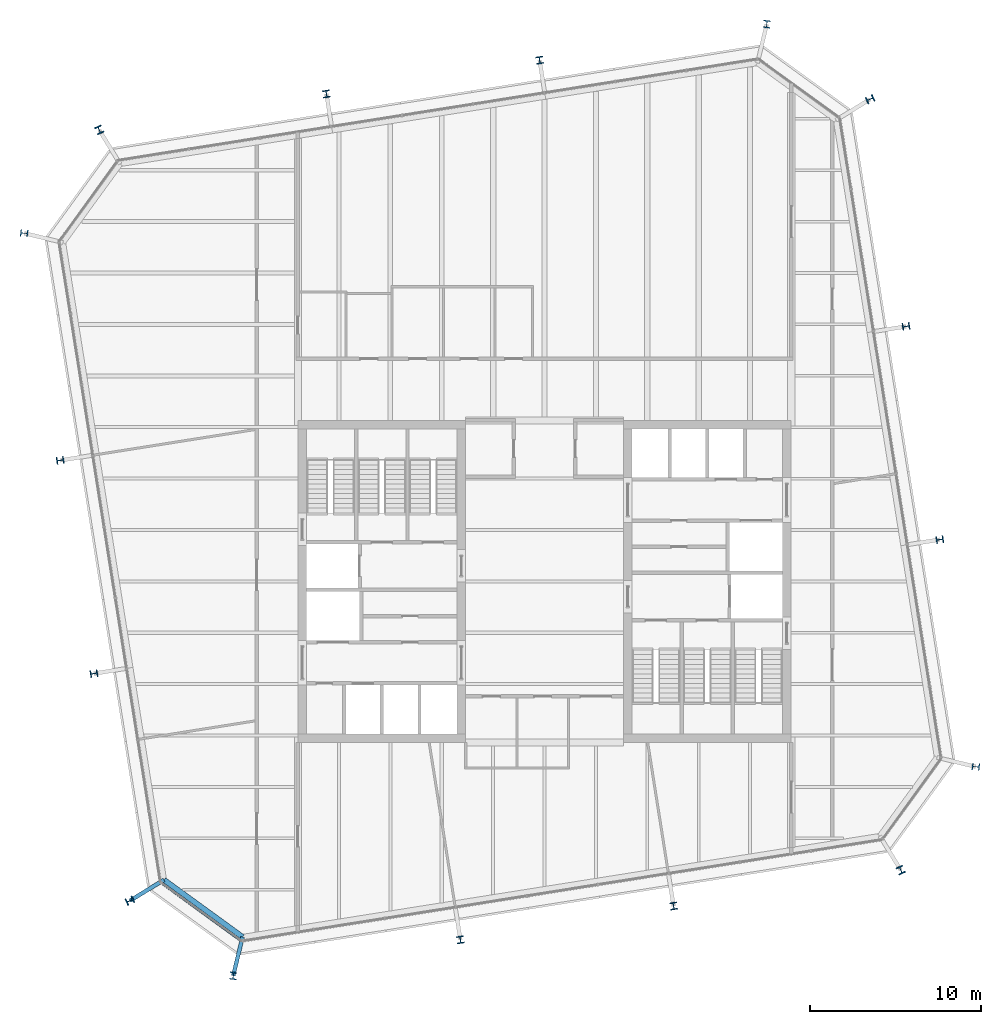
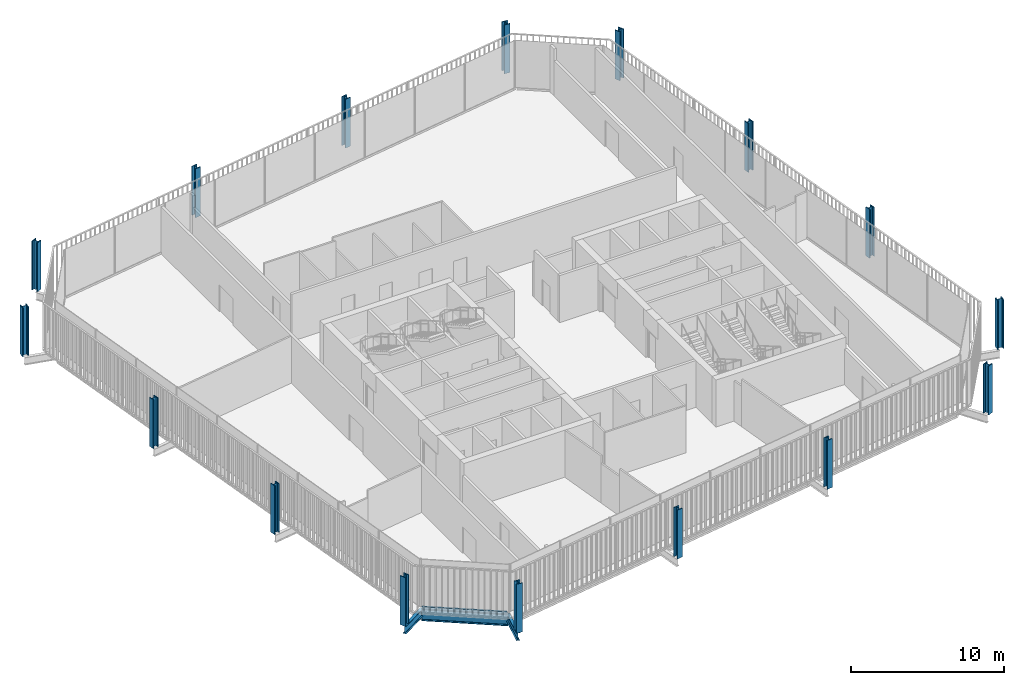
# One storey, part 1 of 20: 16 columns, 3 beams, 1 member, 1 element without a shape of its own.
"""IFC4 building model written with IfcOpenShell, lengths in metres."""

from ifc_helpers import new_model, si_unit, direction, frame, origin, origin_2d, place, context, subcontext, project, spatial, rectangle, i_section, extrude, material, layer, layer_set, material_profile, profile_set, type_object, element, aggregate, save


model = new_model("IFC4")

# Units and contexts
model_context = context("Model", 3, precision=1e-05, world=origin(), true_north=direction((0.0, 1.0)))
body_context = subcontext(model_context, "Body", "Model", "MODEL_VIEW")
ifc_project = project(units=[si_unit("LENGTHUNIT", "METRE"), si_unit("AREAUNIT", "SQUARE_METRE"), si_unit("VOLUMEUNIT", "CUBIC_METRE"), si_unit("PLANEANGLEUNIT", "RADIAN"), si_unit("MASSUNIT", "GRAM", prefix="KILO")], contexts=[model_context])

# Site, building, storey
site_placement = place(None, origin())
site = spatial("IfcSite", under=ifc_project, at=site_placement, CompositionType="ELEMENT")
building_placement = place(site_placement, origin())
building = spatial("IfcBuilding", under=site, at=building_placement, Name="Millrace Tower", CompositionType="ELEMENT")
storey_placement = place(building_placement, frame((0.0, 0.0, 259.10009765625)))
storey = spatial("IfcBuildingStorey", under=building, at=storey_placement, Name="L59", CompositionType="ELEMENT", Elevation=259.10009765625)

# Columns
ifc_material_1 = material(Name="Steel ASTM A913 Grade 65", Category="steel")
ifc_material_profile_1 = material_profile(ifc_material_1, i_section(OverallWidth=0.408935546875, OverallDepth=0.424072265625, WebThickness=0.03271484375, FlangeThickness=0.052490234375, FilletRadius=0.01513671875, at=origin_2d()))
ifc_profile_set_1 = profile_set([ifc_material_profile_1], Name="Steel ASTM A913 Grade 65")
column_type_1 = type_object("IfcColumnType", Name="Exoskeleton column W14x283", PredefinedType="COLUMN", material=ifc_profile_set_1)
for number, where, z_axis, x_axis, name in (
    (1, (-4.91162109375, -20.927734375, 0.0), (0.0, 0.0, 1.0), (0.987688341035, 0.156434462265, 0.0), "COL-D-L59-X03"),
    (2, (7.533203125, -18.956787109375, 0.0), (0.0, 0.0, 1.0), (0.987688341035, 0.156434462265, 0.0), "COL-D-L59-X04"),
    (3, (23.07763671875, 2.4384765625, 0.0), (0.0, 0.0, 1.0), (-0.156434462265, 0.987688341035, 0.0), "COL-D-L59-X07"),
    (4, (21.106689453125, 14.88330078125, 0.0), (0.0, 0.0, 1.0), (-0.156434462265, 0.987688341035, 0.0), "COL-D-L59-X08"),
    (5, (-0.288330078125, 30.427734375, 0.0), (0.0, 0.0, 1.0), (-0.987688341035, -0.156434462265, 0.0), "COL-D-L59-X11"),
    (6, (-12.7333984375, 28.456787109375, 0.0), (0.0, 0.0, 1.0), (-0.987688341035, -0.156434462265, 0.0), "COL-D-L59-X12"),
    (7, (-28.27783203125, 7.0615234375, 0.0), (0.0, 0.0, 1.0), (0.156434462265, -0.987688341035, 0.0), "COL-D-L59-X15"),
    (8, (-26.306640625, -5.38330078125, 0.0), (0.0, 0.0, 1.0), (0.156434462265, -0.987688341035, 0.0), "COL-D-L59-X16"),
):
    element("IfcColumn", number, at=place(storey_placement, frame(where, z_axis=z_axis, x_axis=x_axis)), inside=storey, type_object=column_type_1, Name=name, PredefinedType="COLUMN", context=body_context, shape_type="SweptSolid", body=[
        extrude(i_section(OverallWidth=0.408935546875, OverallDepth=0.424072265625, WebThickness=0.03271484375, FlangeThickness=0.052490234375, FilletRadius=0.01513671875, at=origin_2d()), origin(), (0.0, 0.0, 1.0), 3.89990234375),
    ])
ifc_material_2 = material(Name="Steel ASTM A913 Grade 65", Category="steel")
ifc_material_profile_2 = material_profile(ifc_material_2, i_section(OverallWidth=0.41650390625, OverallDepth=0.444580078125, WebThickness=0.0390625, FlangeThickness=0.062744140625, FilletRadius=0.01513671875, at=origin_2d()))
ifc_profile_set_2 = profile_set([ifc_material_profile_2], Name="Steel ASTM A913 Grade 65")
column_type_2 = type_object("IfcColumnType", Name="Exoskeleton column W14x342", PredefinedType="COLUMN", material=ifc_profile_set_2)
for number, where, z_axis, x_axis, name in (
    (9, (-24.2060546875, -18.646484375, 0.0), (0.0, 0.0, 1.0), (0.418552981224, -0.908192381552, 0.0), "COL-D-L59-X01"),
    (10, (-18.174560546875, -23.0283203125, 0.0), (0.0, 0.0, 1.0), (0.993082267365, -0.117420655103, 0.0), "COL-D-L59-X02"),
    (11, (20.79638671875, -16.85595703125, 0.0), (0.0, 0.0, 1.0), (0.908192381552, 0.418552981224, 0.0), "COL-D-L59-X05"),
    (12, (25.178466796875, -10.82470703125, 0.0), (0.0, 0.0, 1.0), (0.117420655103, 0.993082267365, 0.0), "COL-D-L59-X06"),
    (13, (19.006103515625, 28.146484375, 0.0), (0.0, 0.0, 1.0), (-0.418552981224, 0.908192381552, 0.0), "COL-D-L59-X09"),
    (14, (12.974609375, 32.5283203125, 0.0), (0.0, 0.0, 1.0), (-0.993082267365, 0.117420655103, 0.0), "COL-D-L59-X10"),
    (15, (-25.996337890625, 26.35595703125, 0.0), (0.0, 0.0, 1.0), (-0.908192381552, -0.418552981224, 0.0), "COL-D-L59-X13"),
    (16, (-30.37841796875, 20.32470703125, 0.0), (0.0, 0.0, 1.0), (-0.117420655103, -0.993082267365, 0.0), "COL-D-L59-X14"),
):
    element("IfcColumn", number, at=place(storey_placement, frame(where, z_axis=z_axis, x_axis=x_axis)), inside=storey, type_object=column_type_2, Name=name, PredefinedType="COLUMN", context=body_context, shape_type="SweptSolid", body=[
        extrude(i_section(OverallWidth=0.41650390625, OverallDepth=0.444580078125, WebThickness=0.0390625, FlangeThickness=0.062744140625, FilletRadius=0.01513671875, at=origin_2d()), origin(), (0.0, 0.0, 1.0), 3.89990234375),
    ])

# Curtain wall, member
ifc_material_3 = material(Name="Aluminium and glass", Category="aluminium")
ifc_layer = layer(ifc_material_3, 0.14990234375)
ifc_layer_set = layer_set([ifc_layer], Name="Aluminium and glass")
curtain_wall_type = type_object("IfcCurtainWallType", Name="CW-1 office vision curtain wall", PredefinedType="NOTDEFINED", material=ifc_layer_set)
curtain_wall_placement = place(storey_placement, origin())
curtain_wall = element("IfcCurtainWall", 17, at=curtain_wall_placement, inside=storey, type_object=curtain_wall_type, Name="Curtain wall D-F01 L59", PredefinedType="NOTDEFINED")
ifc_material_4 = material(Name="Aluminium", Category="aluminium")
ifc_material_profile_3 = material_profile(ifc_material_4, rectangle(XDim=0.14990234375, YDim=0.139892578125, at=origin_2d()))
ifc_profile_set_3 = profile_set([ifc_material_profile_3], Name="Aluminium")
member_type = type_object("IfcMemberType", Name="CW-1 office vision curtain wall transom", PredefinedType="USERDEFINED", material=ifc_profile_set_3)
member_placement = place(storey_placement, frame((-22.323486328125, -17.634765625, 0.06982421875), z_axis=(0.809033935994, -0.587761933448, 0.0), x_axis=(0.587761933448, 0.809033935994, 0.0)))
member = element("IfcMember", 18, at=member_placement, type_object=member_type, Name="CW1 transom D-F01.1", ObjectType="TRANSOM", PredefinedType="USERDEFINED", context=body_context, shape_type="SweptSolid", body=[
    extrude(rectangle(XDim=0.14990234375, YDim=0.139892578125, at=origin_2d()), origin(), (0.0, 0.0, 1.0), 5.598388671875),
])
aggregate(curtain_wall, [member])

# Beams
ifc_material_5 = material(Name="Steel ASTM A992 Grade 50", Category="steel")
ifc_material_profile_4 = material_profile(ifc_material_5, i_section(OverallWidth=0.23046875, OverallDepth=0.6171875, WebThickness=0.01318359375, FlangeThickness=0.022216796875, FilletRadius=0.012939453125, at=origin_2d()))
ifc_profile_set_4 = profile_set([ifc_material_profile_4], Name="Steel ASTM A992 Grade 50")
beam_type_1 = type_object("IfcBeamType", Name="Link beam W24x94", PredefinedType="BEAM", material=ifc_profile_set_4)
for number, where, z_axis, x_axis, name in (
    (19, (-22.218505859375, -17.428466796875, -0.46875), (-0.852631355792, -0.522512938711, 0.0), (0.522512938711, -0.852631355792, 0.0), "LNK-D-L59-S1-01"),
    (20, (-17.63037109375, -20.76171875, -0.46875), (-0.233456138164, -0.972367333652, 0.0), (0.972367333652, -0.233456138164, 0.0), "LNK-D-L59-S1-16"),
):
    element("IfcBeam", number, at=place(storey_placement, frame(where, z_axis=z_axis, x_axis=x_axis)), inside=storey, type_object=beam_type_1, Name=name, PredefinedType="BEAM", context=body_context, shape_type="SweptSolid", body=[
        extrude(i_section(OverallWidth=0.23046875, OverallDepth=0.6171875, WebThickness=0.01318359375, FlangeThickness=0.022216796875, FilletRadius=0.012939453125, at=origin_2d()), origin(), (0.0, 0.0, 1.0), 2.3310546875),
    ])
ifc_material_6 = material(Name="Steel ASTM A992 Grade 50", Category="steel")
ifc_material_profile_5 = material_profile(ifc_material_6, i_section(OverallWidth=0.307373046875, OverallDepth=0.927001953125, WebThickness=0.01953125, FlangeThickness=0.031982421875, FilletRadius=0.01904296875, at=origin_2d()))
ifc_profile_set_5 = profile_set([ifc_material_profile_5], Name="Steel ASTM A992 Grade 50")
beam_type_2 = type_object("IfcBeamType", Name="Ring beam short span W36x194", PredefinedType="SPANDREL", material=ifc_profile_set_5)
beam_placement = place(storey_placement, frame((-17.63037109375, -20.76171875, -0.62353515625), z_axis=(-0.809035699289, 0.587759506326, 0.0), x_axis=(-0.587759506326, -0.809035699289, 0.0)))
element("IfcBeam", 21, at=beam_placement, inside=storey, type_object=beam_type_2, Name="RNG-D-L59-S1-16", PredefinedType="SPANDREL", context=body_context, shape_type="SweptSolid", body=[
    extrude(i_section(OverallWidth=0.307373046875, OverallDepth=0.927001953125, WebThickness=0.01953125, FlangeThickness=0.031982421875, FilletRadius=0.01904296875, at=origin_2d()), origin(), (0.0, 0.0, 1.0), 5.671142578125),
])

save(model, "model.ifc")
